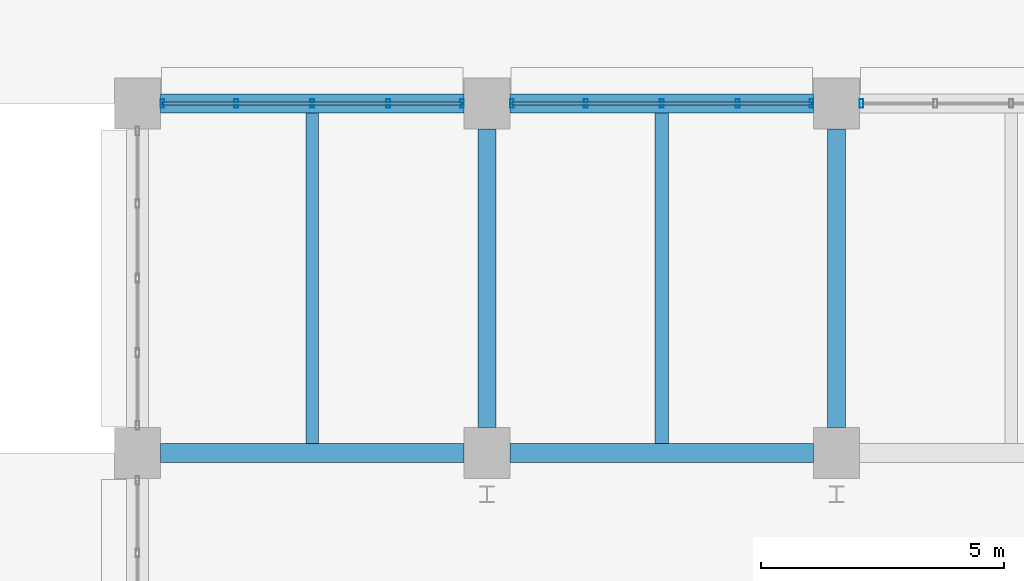
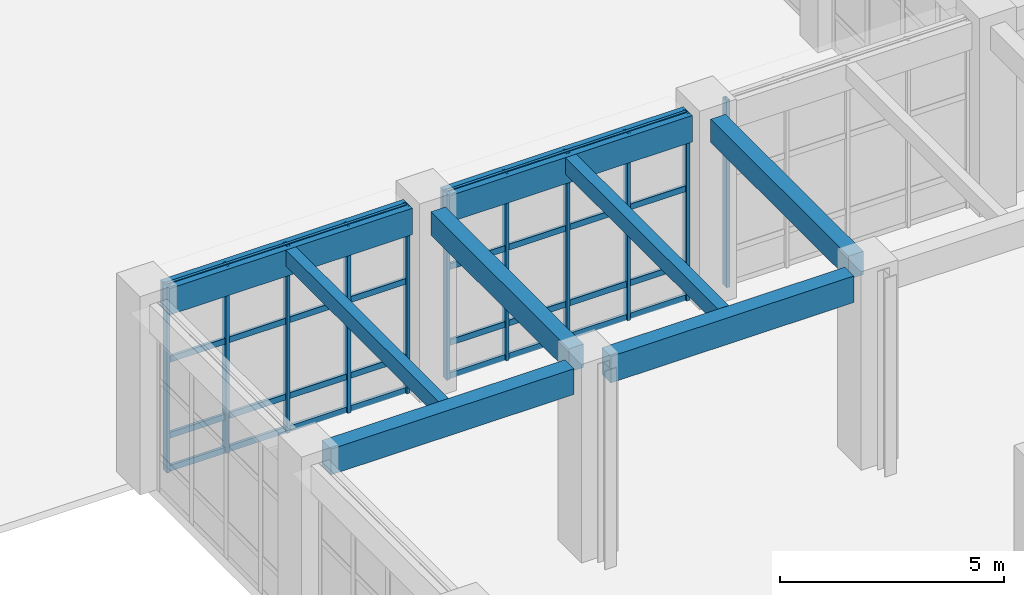
# One storey, part 43 of 160: 19 members, 8 beams, 3 elements without a shape of their own.
"""IFC4 building model written with IfcOpenShell, lengths in metres."""

import ifcopenshell
import ifcopenshell.guid

model = None  # the IFC model being written
_history = None  # IfcOwnerHistory: only IFC2X3 demands one
_inside = {}  # id of a spatial element -> (the spatial element, [elements in it])
_under = {}  # id of a project, library or spatial element -> (it, [spatial elements below it])
_declared = {}  # id of a project -> (the project, [libraries it declares])
_typed = {}  # id of a type object -> (the type object, [elements of that type])
_made_of = {}  # id of a material, layer set ... -> (it, [elements and type objects made of it])


def new_model(schema):
    """Start an empty IFC model of exactly this schema.

    Asked for "IFC4X3", IfcOpenShell would pick the latest addendum, in which some entities
    have other attributes; the version numbers below select the first issue.
    IFC2X3 requires an IfcOwnerHistory on every rooted entity: one is made here for all.
    """
    global model, _history
    if schema == "IFC4X3":
        model = ifcopenshell.file(schema_version=(4, 3, 0, 0))
    else:
        model = ifcopenshell.file(schema=schema)
    _inside.clear()
    _under.clear()
    _declared.clear()
    _typed.clear()
    _made_of.clear()
    _history = None
    if model.schema == "IFC2X3":
        org = make("IfcOrganization", Name="unknown")
        user = make(
            "IfcPersonAndOrganization",
            ThePerson=make("IfcPerson", FamilyName="unknown"),
            TheOrganization=org,
        )
        app = make(
            "IfcApplication",
            ApplicationDeveloper=org,
            Version="unknown",
            ApplicationFullName="unknown",
            ApplicationIdentifier="unknown",
        )
        _history = make(
            "IfcOwnerHistory",
            OwningUser=user,
            OwningApplication=app,
            ChangeAction="ADDED",
            CreationDate=0,
        )
    return model


def make(cls, **values):
    """One entity of the class cls with the attributes given. An attribute that is None is left unset."""
    return model.create_entity(
        cls, **{name: value for name, value in values.items() if value is not None}
    )


def rooted(cls, **values):
    """An entity with a GlobalId (a new one), such as an element, a storey or a relation."""
    return make(cls, GlobalId=ifcopenshell.guid.new(), OwnerHistory=_history, **values)


def si_unit(unit_type, name, prefix=None):
    """IfcSIUnit, for example si_unit("LENGTHUNIT", "METRE", prefix="MILLI")."""
    return make("IfcSIUnit", UnitType=unit_type, Prefix=prefix, Name=name)


def assignment(units):
    """IfcUnitAssignment: the units of a project."""
    return None if units is None else make("IfcUnitAssignment", Units=units)


def point(xyz):
    """IfcCartesianPoint."""
    return None if xyz is None else make("IfcCartesianPoint", Coordinates=xyz)


def direction(xyz):
    """IfcDirection."""
    return None if xyz is None else make("IfcDirection", DirectionRatios=xyz)


def frame(location, z_axis=None, x_axis=None):
    """IfcAxis2Placement3D, a coordinate frame: its origin and axes. An axis left out is left unset."""
    return make(
        "IfcAxis2Placement3D",
        Location=point(location),
        Axis=direction(z_axis),
        RefDirection=direction(x_axis),
    )


def frame_2d(location, x_axis=None):
    """IfcAxis2Placement2D, a coordinate frame in the plane: its origin and x axis."""
    return make(
        "IfcAxis2Placement2D", Location=point(location), RefDirection=direction(x_axis)
    )


def origin():
    """The frame at (0, 0, 0) with its axes left unset."""
    return frame((0.0, 0.0, 0.0))


def origin_2d():
    """The frame at (0, 0) in the plane with its x axis left unset."""
    return frame_2d((0.0, 0.0))


def place(relative_to, where):
    """IfcLocalPlacement: puts the frame where relative to a parent placement (None: the world)."""
    return make(
        "IfcLocalPlacement", PlacementRelTo=relative_to, RelativePlacement=where
    )


def context(
    kind, dimensions, precision=None, world=None, true_north=None, identifier=None
):
    """IfcGeometricRepresentationContext, for example the 3D "Model" context."""
    return make(
        "IfcGeometricRepresentationContext",
        ContextIdentifier=identifier,
        ContextType=kind,
        CoordinateSpaceDimension=dimensions,
        Precision=precision,
        WorldCoordinateSystem=world,
        TrueNorth=true_north,
    )


def subcontext(parent, identifier, kind, view, scale=None):
    """IfcGeometricRepresentationSubContext, for example "Body" below "Model"."""
    return make(
        "IfcGeometricRepresentationSubContext",
        ContextIdentifier=identifier,
        ContextType=kind,
        ParentContext=parent,
        TargetScale=scale,
        TargetView=view,
    )


def project(units=None, contexts=None):
    """IfcProject with its units and contexts."""
    return rooted(
        "IfcProject",
        Name="project",
        RepresentationContexts=contexts,
        UnitsInContext=assignment(units),
    )


def spatial(cls, under=None, at=None, **own):
    """A site, building, storey or space (cls), placed at a placement, below another one or the project."""
    s = rooted(cls, ObjectPlacement=at, **own)
    if under is not None:
        _under.setdefault(under.id(), (under, []))[1].append(s)
    return s


def profile(cls, at=None, kind="AREA", **sizes):
    """A parametric profile (cls). Its sizes go by their IFC names, for example OverallWidth=200.0."""
    return make(cls, ProfileType=kind, Position=at, **sizes)


def rectangle(**sizes):
    """IfcRectangleProfileDef."""
    return profile("IfcRectangleProfileDef", **sizes)


def hollow_rectangle(**sizes):
    """IfcRectangleHollowProfileDef."""
    return profile("IfcRectangleHollowProfileDef", **sizes)


def extrude(swept, where, along, depth):
    """IfcExtrudedAreaSolid: the profile swept, set in the frame where, extruded along a direction by depth."""
    return make(
        "IfcExtrudedAreaSolid",
        SweptArea=swept,
        Position=where,
        ExtrudedDirection=direction(along),
        Depth=depth,
    )


def shape(context_of_items, identifier, shape_type, items):
    """IfcShapeRepresentation: the items that make up one representation, for example the "Body"."""
    return make(
        "IfcShapeRepresentation",
        ContextOfItems=context_of_items,
        RepresentationIdentifier=identifier,
        RepresentationType=shape_type,
        Items=items,
    )


def material(Name=None, Category=None):
    """IfcMaterial."""
    return make("IfcMaterial", Name=Name, Category=Category)


def material_profile(
    of_material, cross_section, Name=None, Category=None, Priority=None
):
    """IfcMaterialProfile: a cross section and its material."""
    return make(
        "IfcMaterialProfile",
        Name=Name,
        Material=of_material,
        Profile=cross_section,
        Priority=Priority,
        Category=Category,
    )


def profile_set(profiles, Name=None, composite=None):
    """IfcMaterialProfileSet."""
    return make(
        "IfcMaterialProfileSet",
        Name=Name,
        MaterialProfiles=profiles,
        CompositeProfile=composite,
    )


def made_of(thing, what):
    """Note that an element or type object is made of a material, layer set ...; save() writes the relation."""
    if what is not None:
        _made_of.setdefault(what.id(), (what, []))[1].append(thing)
    return thing


def type_object(cls, material=None, **own):
    """A type object (cls), such as IfcWallType, which elements share."""
    return made_of(rooted(cls, **own), material)


def element(
    cls,
    number,
    at=None,
    inside=None,
    cuts=None,
    type_object=None,
    material=None,
    context=None,
    identifier="Body",
    shape_type=None,
    held_by="IfcProductDefinitionShape",
    body=None,
    shapes=None,
    **own,
):
    """One element of the class cls, such as IfcWall. Its Tag is "e" and its number.

    at: its placement. inside: the storey or other place that contains it. cuts: it is an
    opening in that element (IfcRelVoidsElement). A single representation is given by context,
    identifier, shape_type and body (its items); several are given by shapes. held_by: the class
    of the entity that holds the representations. save() writes the other relations.
    """
    e = rooted(cls, Tag="e%d" % number, ObjectPlacement=at, **own)
    if body is not None:
        shapes = [shape(context, identifier, shape_type, body)]
    if shapes is not None:
        e.Representation = make(held_by, Representations=shapes)
    if inside is not None:
        _inside.setdefault(inside.id(), (inside, []))[1].append(e)
    if cuts is not None:
        rooted(
            "IfcRelVoidsElement", RelatingBuildingElement=cuts, RelatedOpeningElement=e
        )
    if type_object is not None:
        _typed.setdefault(type_object.id(), (type_object, []))[1].append(e)
    return made_of(e, material)


def aggregate(whole, parts):
    """IfcRelAggregates: a whole, such as a stair, and the parts it consists of."""
    return rooted("IfcRelAggregates", RelatingObject=whole, RelatedObjects=parts)


def save(model, path):
    """Write the relations noted so far, then the file.

    IfcRelAggregates (storeys below a building ...), IfcRelContainedInSpatialStructure (elements
    in a storey), IfcRelDefinesByType, IfcRelAssociatesMaterial and IfcRelDeclares: one each for
    every whole, place, type object, material and project.
    """
    for whole, parts in _under.values():
        aggregate(whole, parts)
    for where, things in _inside.values():
        rooted(
            "IfcRelContainedInSpatialStructure",
            RelatedElements=things,
            RelatingStructure=where,
        )
    for kind, things in _typed.values():
        rooted("IfcRelDefinesByType", RelatedObjects=things, RelatingType=kind)
    for what, things in _made_of.values():
        rooted("IfcRelAssociatesMaterial", RelatedObjects=things, RelatingMaterial=what)
    for by, libraries in _declared.values():
        rooted("IfcRelDeclares", RelatingContext=by, RelatedDefinitions=libraries)
    model.write(path)


model = new_model("IFC4")

# Units and contexts
model_context = context("Model", 3, precision=1e-05, world=origin(), true_north=direction((0.0, 1.0)))
body_context = subcontext(model_context, "Body", "Model", "MODEL_VIEW")
ifc_project = project(units=[si_unit("LENGTHUNIT", "METRE"), si_unit("AREAUNIT", "SQUARE_METRE"), si_unit("VOLUMEUNIT", "CUBIC_METRE"), si_unit("PLANEANGLEUNIT", "RADIAN"), si_unit("MASSUNIT", "GRAM", prefix="KILO")], contexts=[model_context])

# Site, building, storey
site_placement = place(None, origin())
site = spatial("IfcSite", under=ifc_project, at=site_placement, CompositionType="ELEMENT")
building_placement = place(site_placement, origin())
building = spatial("IfcBuilding", under=site, at=building_placement, Name="Thalmaran Polytechnic", CompositionType="ELEMENT")
storey_placement = place(building_placement, origin())
storey = spatial("IfcBuildingStorey", under=building, at=storey_placement, Name="L00", CompositionType="ELEMENT", Elevation=0.0)

# Beams
ifc_material_1 = material(Name="Concrete C40/50", Category="concrete")
ifc_material_profile_1 = material_profile(ifc_material_1, rectangle(XDim=0.39990234375, YDim=0.699951171875, at=origin_2d()), Name="RC 400x700")
ifc_profile_set_1 = profile_set([ifc_material_profile_1], Name="Concrete C40/50")
beam_type_1 = type_object("IfcBeamType", Name="BM-RC05", PredefinedType="BEAM", material=ifc_profile_set_1)
beam_1_placement = place(storey_placement, frame((108.47509765625, 50.39990234375, 4.739990234375), z_axis=(1.0, 0.0, 0.0), x_axis=(0.0, 1.0, 0.0)))
element("IfcBeam", 1, at=beam_1_placement, inside=storey, type_object=beam_type_1, Name="Grid Beam B05 L00 X(15,7)", PredefinedType="BEAM", context=body_context, shape_type="SweptSolid", body=[
    extrude(rectangle(XDim=0.39990234375, YDim=0.699951171875, at=origin_2d()), origin(), (0.0, 0.0, 1.0), 6.25),
])
ifc_material_profile_2 = material_profile(ifc_material_1, rectangle(XDim=0.280029296875, YDim=0.449951171875, at=origin_2d()), Name="RC 280x450")
ifc_profile_set_2 = profile_set([ifc_material_profile_2], Name="Concrete C40/50")
beam_type_2 = type_object("IfcBeamType", Name="BM-RC13", PredefinedType="JOIST", material=ifc_profile_set_2)
beam_2_placement = place(storey_placement, frame((118.800048828125, 50.60009765625, 4.864990234375), z_axis=(0.0, 1.0, 0.0), x_axis=(-1.0, 0.0, 0.0)))
element("IfcBeam", 2, at=beam_2_placement, inside=storey, type_object=beam_type_2, Name="Secondary Floor Rib RB03 L00 (16,7)", PredefinedType="JOIST", context=body_context, shape_type="SweptSolid", body=[
    extrude(rectangle(XDim=0.280029296875, YDim=0.449951171875, at=origin_2d()), origin(), (0.0, 0.0, 1.0), 6.7998046875),
])
ifc_material_profile_3 = material_profile(ifc_material_1, rectangle(XDim=0.39990234375, YDim=0.719970703125, at=origin_2d()), Name="RC 400x720")
ifc_profile_set_3 = profile_set([ifc_material_profile_3], Name="Concrete C40/50")
beam_type_3 = type_object("IfcBeamType", Name="BM-SP01", PredefinedType="SPANDREL", material=ifc_profile_set_3)
for number, where, z_axis, x_axis, name in (
    (3, (108.47509765625, 57.60009765625, 4.72998046875), (1.0, 0.0, 0.0), (0.0, 1.0, 0.0), "Grid Beam SP01 L00 X(15,8)"),
    (4, (115.675048828125, 50.39990234375, 4.72998046875), (1.0, 0.0, 0.0), (0.0, 1.0, 0.0), "Grid Beam SP01 L00 X(16,7)"),
    (5, (115.675048828125, 57.60009765625, 4.72998046875), (1.0, 0.0, 0.0), (0.0, 1.0, 0.0), "Grid Beam SP01 L00 X(16,8)"),
):
    element("IfcBeam", number, at=place(storey_placement, frame(where, z_axis=z_axis, x_axis=x_axis)), inside=storey, type_object=beam_type_3, Name=name, PredefinedType="SPANDREL", context=body_context, shape_type="SweptSolid", body=[
        extrude(rectangle(XDim=0.39990234375, YDim=0.719970703125, at=origin_2d()), origin(), (0.0, 0.0, 1.0), 6.25),
    ])
ifc_material_profile_4 = material_profile(ifc_material_1, rectangle(XDim=0.3798828125, YDim=0.635009765625, at=origin_2d()), Name="RC 380x635")
ifc_profile_set_4 = profile_set([ifc_material_profile_4], Name="Concrete C40/50")
beam_type_4 = type_object("IfcBeamType", Name="BM-ZB06", PredefinedType="BEAM", material=ifc_profile_set_4)
for number, where, z_axis, x_axis, name in (
    (6, (115.199951171875, 50.925048828125, 4.7724609375), (0.0, 1.0, 0.0), (-1.0, 0.0, 0.0), "Grid Beam ZB06 L00 Y(16,7)"),
    (7, (122.39990234375, 50.925048828125, 4.7724609375), (0.0, 1.0, 0.0), (-1.0, 0.0, 0.0), "Grid Beam ZB06 L00 Y(17,7)"),
):
    element("IfcBeam", number, at=place(storey_placement, frame(where, z_axis=z_axis, x_axis=x_axis)), inside=storey, type_object=beam_type_4, Name=name, PredefinedType="BEAM", context=body_context, shape_type="SweptSolid", body=[
        extrude(rectangle(XDim=0.3798828125, YDim=0.635009765625, at=origin_2d()), origin(), (0.0, 0.0, 1.0), 6.14990234375),
    ])
ifc_material_profile_5 = material_profile(ifc_material_1, rectangle(XDim=0.260009765625, YDim=0.43994140625, at=origin_2d()), Name="RC 260x440")
ifc_profile_set_5 = profile_set([ifc_material_profile_5], Name="Concrete C40/50")
beam_type_5 = type_object("IfcBeamType", Name="BM-ZJ02", PredefinedType="JOIST", material=ifc_profile_set_5)
beam_3_placement = place(storey_placement, frame((111.60009765625, 50.60009765625, 4.8701171875), z_axis=(0.0, 1.0, 0.0), x_axis=(-1.0, 0.0, 0.0)))
element("IfcBeam", 8, at=beam_3_placement, inside=storey, type_object=beam_type_5, Name="Secondary Floor Rib ZJ02 L00 (15,7)", PredefinedType="JOIST", context=body_context, shape_type="SweptSolid", body=[
    extrude(rectangle(XDim=0.260009765625, YDim=0.43994140625, at=origin_2d()), origin(), (0.0, 0.0, 1.0), 6.7998046875),
])

# Curtain wall, members
ifc_material_2 = material(Name="Aluminium 6063-T6", Category="aluminium")
curtain_wall_type = type_object("IfcCurtainWallType", Name="CW-UC01", PredefinedType="USERDEFINED", material=ifc_material_2)
curtain_wall_1_placement = place(storey_placement, origin())
curtain_wall_1 = element("IfcCurtainWall", 9, at=curtain_wall_1_placement, inside=storey, type_object=curtain_wall_type, Name="Curtain Wall CW-L00-064", ObjectType="UNITISED CURTAIN WALL", PredefinedType="USERDEFINED")
ifc_material_profile_6 = material_profile(ifc_material_2, hollow_rectangle(XDim=0.080078125, YDim=0.179931640625, WallThickness=0.0048828125, at=origin_2d()), Name="RHS 180x80x5.0")
ifc_profile_set_6 = profile_set([ifc_material_profile_6], Name="Aluminium 6063-T6")
member_type_1 = type_object("IfcMemberType", Name="CW-MUL1", PredefinedType="MULLION", material=ifc_profile_set_6)
member_1_placement = place(storey_placement, frame((108.514892578125, 57.60009765625, 0.0), z_axis=(0.0, 0.0, 1.0), x_axis=(1.0, 0.0, 0.0)))
member_1 = element("IfcMember", 10, at=member_1_placement, type_object=member_type_1, Name="CW-L00-064 Mullion 1", PredefinedType="MULLION", context=body_context, shape_type="SweptSolid", body=[
    extrude(hollow_rectangle(XDim=0.080078125, YDim=0.179931640625, WallThickness=0.0048828125, at=origin_2d()), origin(), (0.0, 0.0, 1.0), 5.090087890625),
])
member_2_placement = place(storey_placement, frame((110.03759765625, 57.60009765625, 0.0), z_axis=(0.0, 0.0, 1.0), x_axis=(1.0, 0.0, 0.0)))
member_2 = element("IfcMember", 11, at=member_2_placement, type_object=member_type_1, Name="CW-L00-064 Mullion 2", PredefinedType="MULLION", context=body_context, shape_type="SweptSolid", body=[
    extrude(hollow_rectangle(XDim=0.080078125, YDim=0.179931640625, WallThickness=0.0048828125, at=origin_2d()), origin(), (0.0, 0.0, 1.0), 5.090087890625),
])
member_3_placement = place(storey_placement, frame((111.60009765625, 57.60009765625, 0.0), z_axis=(0.0, 0.0, 1.0), x_axis=(1.0, 0.0, 0.0)))
member_3 = element("IfcMember", 12, at=member_3_placement, type_object=member_type_1, Name="CW-L00-064 Mullion 3", PredefinedType="MULLION", context=body_context, shape_type="SweptSolid", body=[
    extrude(hollow_rectangle(XDim=0.080078125, YDim=0.179931640625, WallThickness=0.0048828125, at=origin_2d()), origin(), (0.0, 0.0, 1.0), 5.090087890625),
])
member_4_placement = place(storey_placement, frame((113.16259765625, 57.60009765625, 0.0), z_axis=(0.0, 0.0, 1.0), x_axis=(1.0, 0.0, 0.0)))
member_4 = element("IfcMember", 13, at=member_4_placement, type_object=member_type_1, Name="CW-L00-064 Mullion 4", PredefinedType="MULLION", context=body_context, shape_type="SweptSolid", body=[
    extrude(hollow_rectangle(XDim=0.080078125, YDim=0.179931640625, WallThickness=0.0048828125, at=origin_2d()), origin(), (0.0, 0.0, 1.0), 5.090087890625),
])
member_5_placement = place(storey_placement, frame((114.68505859375, 57.60009765625, 0.0), z_axis=(0.0, 0.0, 1.0), x_axis=(1.0, 0.0, 0.0)))
member_5 = element("IfcMember", 14, at=member_5_placement, type_object=member_type_1, Name="CW-L00-064 Mullion 5", PredefinedType="MULLION", context=body_context, shape_type="SweptSolid", body=[
    extrude(hollow_rectangle(XDim=0.080078125, YDim=0.179931640625, WallThickness=0.0048828125, at=origin_2d()), origin(), (0.0, 0.0, 1.0), 5.090087890625),
])

curtain_wall_2_placement = place(storey_placement, origin())
curtain_wall_2 = element("IfcCurtainWall", 15, at=curtain_wall_2_placement, inside=storey, type_object=curtain_wall_type, Name="Curtain Wall CW-L00-065", ObjectType="UNITISED CURTAIN WALL", PredefinedType="USERDEFINED")
member_6_placement = place(storey_placement, frame((115.715087890625, 57.60009765625, 0.0), z_axis=(0.0, 0.0, 1.0), x_axis=(1.0, 0.0, 0.0)))
member_6 = element("IfcMember", 16, at=member_6_placement, type_object=member_type_1, Name="CW-L00-065 Mullion 1", PredefinedType="MULLION", context=body_context, shape_type="SweptSolid", body=[
    extrude(hollow_rectangle(XDim=0.080078125, YDim=0.179931640625, WallThickness=0.0048828125, at=origin_2d()), origin(), (0.0, 0.0, 1.0), 5.090087890625),
])
member_7_placement = place(storey_placement, frame((117.237548828125, 57.60009765625, 0.0), z_axis=(0.0, 0.0, 1.0), x_axis=(1.0, 0.0, 0.0)))
member_7 = element("IfcMember", 17, at=member_7_placement, type_object=member_type_1, Name="CW-L00-065 Mullion 2", PredefinedType="MULLION", context=body_context, shape_type="SweptSolid", body=[
    extrude(hollow_rectangle(XDim=0.080078125, YDim=0.179931640625, WallThickness=0.0048828125, at=origin_2d()), origin(), (0.0, 0.0, 1.0), 5.090087890625),
])
member_8_placement = place(storey_placement, frame((118.800048828125, 57.60009765625, 0.0), z_axis=(0.0, 0.0, 1.0), x_axis=(1.0, 0.0, 0.0)))
member_8 = element("IfcMember", 18, at=member_8_placement, type_object=member_type_1, Name="CW-L00-065 Mullion 3", PredefinedType="MULLION", context=body_context, shape_type="SweptSolid", body=[
    extrude(hollow_rectangle(XDim=0.080078125, YDim=0.179931640625, WallThickness=0.0048828125, at=origin_2d()), origin(), (0.0, 0.0, 1.0), 5.090087890625),
])
member_9_placement = place(storey_placement, frame((120.362548828125, 57.60009765625, 0.0), z_axis=(0.0, 0.0, 1.0), x_axis=(1.0, 0.0, 0.0)))
member_9 = element("IfcMember", 19, at=member_9_placement, type_object=member_type_1, Name="CW-L00-065 Mullion 4", PredefinedType="MULLION", context=body_context, shape_type="SweptSolid", body=[
    extrude(hollow_rectangle(XDim=0.080078125, YDim=0.179931640625, WallThickness=0.0048828125, at=origin_2d()), origin(), (0.0, 0.0, 1.0), 5.090087890625),
])
member_10_placement = place(storey_placement, frame((121.885009765625, 57.60009765625, 0.0), z_axis=(0.0, 0.0, 1.0), x_axis=(1.0, 0.0, 0.0)))
member_10 = element("IfcMember", 20, at=member_10_placement, type_object=member_type_1, Name="CW-L00-065 Mullion 5", PredefinedType="MULLION", context=body_context, shape_type="SweptSolid", body=[
    extrude(hollow_rectangle(XDim=0.080078125, YDim=0.179931640625, WallThickness=0.0048828125, at=origin_2d()), origin(), (0.0, 0.0, 1.0), 5.090087890625),
])

# Curtain wall, member
curtain_wall_3_placement = place(storey_placement, origin())
curtain_wall_3 = element("IfcCurtainWall", 21, at=curtain_wall_3_placement, inside=storey, type_object=curtain_wall_type, Name="Curtain Wall CW-L00-066", ObjectType="UNITISED CURTAIN WALL", PredefinedType="USERDEFINED")
member_11_placement = place(storey_placement, frame((122.9150390625, 57.60009765625, 0.0), z_axis=(0.0, 0.0, 1.0), x_axis=(1.0, 0.0, 0.0)))
member_11 = element("IfcMember", 22, at=member_11_placement, type_object=member_type_1, Name="CW-L00-066 Mullion 1", PredefinedType="MULLION", context=body_context, shape_type="SweptSolid", body=[
    extrude(hollow_rectangle(XDim=0.080078125, YDim=0.179931640625, WallThickness=0.0048828125, at=origin_2d()), origin(), (0.0, 0.0, 1.0), 5.090087890625),
])
aggregate(curtain_wall_3, [member_11])

# Member
ifc_material_profile_7 = material_profile(ifc_material_2, hollow_rectangle(XDim=0.070068359375, YDim=0.159912109375, WallThickness=0.00390625, at=origin_2d()), Name="AL 160x70x4.0")
ifc_profile_set_7 = profile_set([ifc_material_profile_7], Name="Aluminium 6063-T6")
member_type_2 = type_object("IfcMemberType", Name="CW-TRN1", PredefinedType="USERDEFINED", material=ifc_profile_set_7)
member_12_placement = place(storey_placement, frame((108.514892578125, 57.60009765625, 0.06005859375), z_axis=(1.0, 0.0, 0.0), x_axis=(0.0, 1.0, 0.0)))
member_12 = element("IfcMember", 23, at=member_12_placement, type_object=member_type_2, Name="CW-L00-064 Transom 1", ObjectType="TRANSOM", PredefinedType="USERDEFINED", context=body_context, shape_type="SweptSolid", body=[
    extrude(hollow_rectangle(XDim=0.070068359375, YDim=0.159912109375, WallThickness=0.00390625, at=origin_2d()), origin(), (0.0, 0.0, 1.0), 6.170166015625),
])

member_13_placement = place(storey_placement, frame((108.514892578125, 57.60009765625, 0.9599609375), z_axis=(1.0, 0.0, 0.0), x_axis=(0.0, 1.0, 0.0)))
member_13 = element("IfcMember", 24, at=member_13_placement, type_object=member_type_2, Name="CW-L00-064 Transom 2", ObjectType="TRANSOM", PredefinedType="USERDEFINED", context=body_context, shape_type="SweptSolid", body=[
    extrude(hollow_rectangle(XDim=0.070068359375, YDim=0.159912109375, WallThickness=0.00390625, at=origin_2d()), origin(), (0.0, 0.0, 1.0), 6.170166015625),
])

member_14_placement = place(storey_placement, frame((108.514892578125, 57.60009765625, 3.02490234375), z_axis=(1.0, 0.0, 0.0), x_axis=(0.0, 1.0, 0.0)))
member_14 = element("IfcMember", 25, at=member_14_placement, type_object=member_type_2, Name="CW-L00-064 Transom 3", ObjectType="TRANSOM", PredefinedType="USERDEFINED", context=body_context, shape_type="SweptSolid", body=[
    extrude(hollow_rectangle(XDim=0.070068359375, YDim=0.159912109375, WallThickness=0.00390625, at=origin_2d()), origin(), (0.0, 0.0, 1.0), 6.170166015625),
])

member_15_placement = place(storey_placement, frame((108.514892578125, 57.60009765625, 5.030029296875), z_axis=(1.0, 0.0, 0.0), x_axis=(0.0, 1.0, 0.0)))
member_15 = element("IfcMember", 26, at=member_15_placement, type_object=member_type_2, Name="CW-L00-064 Transom 4", ObjectType="TRANSOM", PredefinedType="USERDEFINED", context=body_context, shape_type="SweptSolid", body=[
    extrude(hollow_rectangle(XDim=0.070068359375, YDim=0.159912109375, WallThickness=0.00390625, at=origin_2d()), origin(), (0.0, 0.0, 1.0), 6.170166015625),
])

aggregate(curtain_wall_1, [member_1, member_2, member_3, member_4, member_5, member_12, member_13, member_14, member_15])

member_16_placement = place(storey_placement, frame((115.715087890625, 57.60009765625, 0.06005859375), z_axis=(1.0, 0.0, 0.0), x_axis=(0.0, 1.0, 0.0)))
member_16 = element("IfcMember", 27, at=member_16_placement, type_object=member_type_2, Name="CW-L00-065 Transom 1", ObjectType="TRANSOM", PredefinedType="USERDEFINED", context=body_context, shape_type="SweptSolid", body=[
    extrude(hollow_rectangle(XDim=0.070068359375, YDim=0.159912109375, WallThickness=0.00390625, at=origin_2d()), origin(), (0.0, 0.0, 1.0), 6.169921875),
])

member_17_placement = place(storey_placement, frame((115.715087890625, 57.60009765625, 0.9599609375), z_axis=(1.0, 0.0, 0.0), x_axis=(0.0, 1.0, 0.0)))
member_17 = element("IfcMember", 28, at=member_17_placement, type_object=member_type_2, Name="CW-L00-065 Transom 2", ObjectType="TRANSOM", PredefinedType="USERDEFINED", context=body_context, shape_type="SweptSolid", body=[
    extrude(hollow_rectangle(XDim=0.070068359375, YDim=0.159912109375, WallThickness=0.00390625, at=origin_2d()), origin(), (0.0, 0.0, 1.0), 6.169921875),
])

member_18_placement = place(storey_placement, frame((115.715087890625, 57.60009765625, 3.02490234375), z_axis=(1.0, 0.0, 0.0), x_axis=(0.0, 1.0, 0.0)))
member_18 = element("IfcMember", 29, at=member_18_placement, type_object=member_type_2, Name="CW-L00-065 Transom 3", ObjectType="TRANSOM", PredefinedType="USERDEFINED", context=body_context, shape_type="SweptSolid", body=[
    extrude(hollow_rectangle(XDim=0.070068359375, YDim=0.159912109375, WallThickness=0.00390625, at=origin_2d()), origin(), (0.0, 0.0, 1.0), 6.169921875),
])

member_19_placement = place(storey_placement, frame((115.715087890625, 57.60009765625, 5.030029296875), z_axis=(1.0, 0.0, 0.0), x_axis=(0.0, 1.0, 0.0)))
member_19 = element("IfcMember", 30, at=member_19_placement, type_object=member_type_2, Name="CW-L00-065 Transom 4", ObjectType="TRANSOM", PredefinedType="USERDEFINED", context=body_context, shape_type="SweptSolid", body=[
    extrude(hollow_rectangle(XDim=0.070068359375, YDim=0.159912109375, WallThickness=0.00390625, at=origin_2d()), origin(), (0.0, 0.0, 1.0), 6.169921875),
])

aggregate(curtain_wall_2, [member_6, member_7, member_8, member_9, member_10, member_16, member_17, member_18, member_19])

save(model, "model.ifc")
